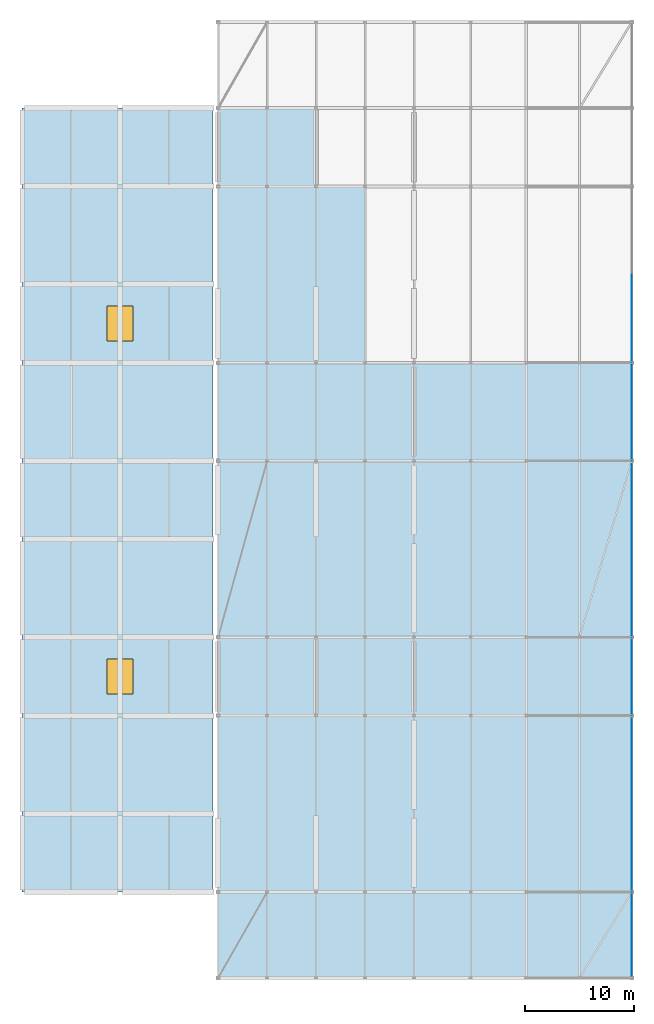
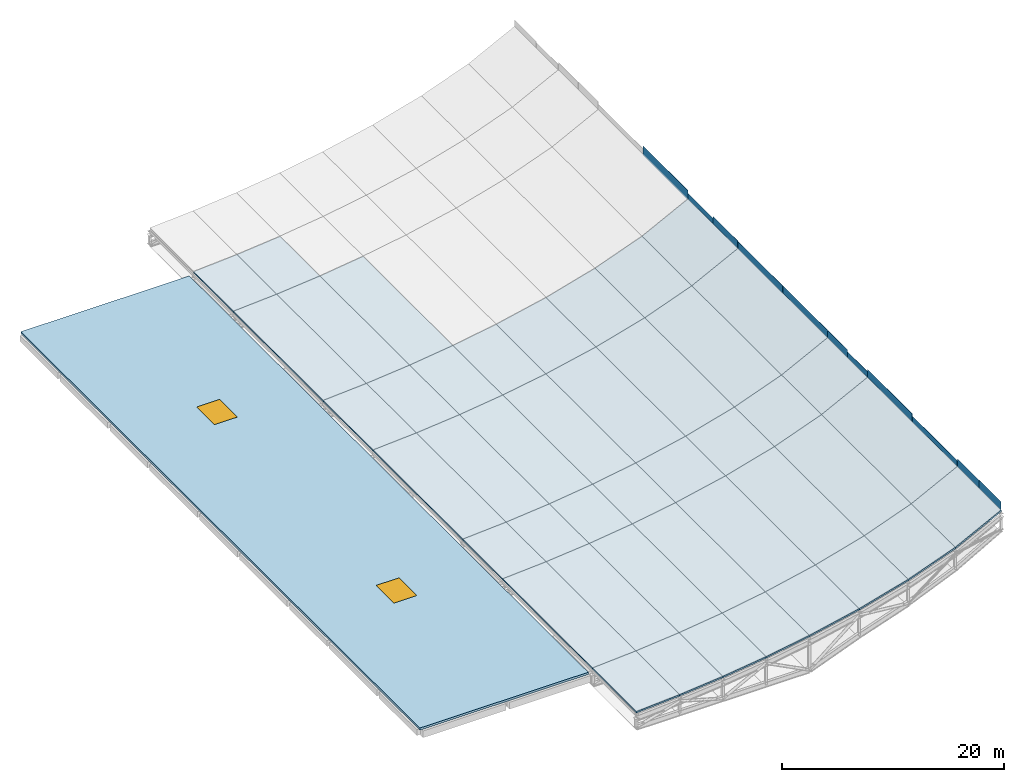
# One storey, part 19 of 24: 46 slabs, 11 plates, 2 windows, 2 openings.
"""IFC4 building model written with IfcOpenShell, lengths in metres."""

from ifc_helpers import new_model, si_unit, direction, frame, origin, origin_2d, place, context, subcontext, project, spatial, polyline, rectangle, outline, extrude, material, layer, layer_set, type_object, element, fill, save


model = new_model("IFC4")

# Units and contexts
model_context = context("Model", 3, precision=1e-05, world=origin(), true_north=direction((0.0, 1.0)))
body_context = subcontext(model_context, "Body", "Model", "MODEL_VIEW")
ifc_project = project(units=[si_unit("LENGTHUNIT", "METRE"), si_unit("AREAUNIT", "SQUARE_METRE"), si_unit("VOLUMEUNIT", "CUBIC_METRE"), si_unit("PLANEANGLEUNIT", "RADIAN"), si_unit("MASSUNIT", "GRAM", prefix="KILO"), si_unit("THERMODYNAMICTEMPERATUREUNIT", "KELVIN"), si_unit("POWERUNIT", "WATT")], contexts=[model_context])

# Site, building, storey
site_placement = place(None, origin())
site = spatial("IfcSite", under=ifc_project, at=site_placement, CompositionType="ELEMENT")
building_placement = place(site_placement, origin())
building = spatial("IfcBuilding", under=site, at=building_placement, Name="Sindhuravela Promenade Stadium", CompositionType="ELEMENT")
storey_placement = place(building_placement, frame((0.0, 0.0, 28.800048828125)))
storey = spatial("IfcBuildingStorey", under=building, at=storey_placement, Name="RF", CompositionType="ELEMENT", Elevation=28.800048828125)

# Slab, openings, windows
ifc_material_1 = material(Name="Concrete M40", Category="concrete")
ifc_layer_1 = layer(ifc_material_1, 0.239990234375)
ifc_layer_set_1 = layer_set([ifc_layer_1], Name="Concrete M40")
slab_type_1 = type_object("IfcSlabType", Name="SL-ROF-240", PredefinedType="ROOF", material=ifc_layer_set_1)
slab_1_placement = place(storey_placement, frame((0.0, 0.0, -0.239990234375)))
slab_1 = element("IfcSlab", 1, at=slab_1_placement, inside=storey, type_object=slab_type_1, Name="Main roof slab WEST RF", PredefinedType="ROOF", context=body_context, shape_type="SweptSolid", body=[
    extrude(outline(polyline([(0.0, 45.0), (0.0, 117.0), (17.550048828125, 117.0), (17.550048828125, 45.0), (0.0, 45.0)])), origin(), (0.0, 0.0, 1.0), 0.239990234375),
])
opening_1_placement = place(slab_1_placement, frame((9.0, 64.800048828125, -0.010009765625)))
opening_1 = element("IfcOpeningElement", 2, at=opening_1_placement, cuts=slab_1, Name="Opening SK04", PredefinedType="OPENING", context=body_context, shape_type="SweptSolid", body=[
    extrude(rectangle(XDim=2.39990234375, YDim=3.199951171875, at=origin_2d()), origin(), (0.0, 0.0, 1.0), 0.260009765625),
])
opening_2_placement = place(slab_1_placement, frame((9.0, 97.199951171875, -0.010009765625)))
opening_2 = element("IfcOpeningElement", 3, at=opening_2_placement, cuts=slab_1, Name="Opening SK04", PredefinedType="OPENING", context=body_context, shape_type="SweptSolid", body=[
    extrude(rectangle(XDim=2.39990234375, YDim=3.199951171875, at=origin_2d()), origin(), (0.0, 0.0, 1.0), 0.260009765625),
])
ifc_material_2 = material(Name="Tempered laminated low-E glass", Category="glass")
window_type = type_object("IfcWindowType", Name="WN-SKY-2400x3200", PartitioningType="SINGLE_PANEL", PredefinedType="SKYLIGHT", material=ifc_material_2)
window_1_placement = place(slab_1_placement, frame((9.0, 64.800048828125, 0.18994140625)))
window_1 = element("IfcWindow", 4, at=window_1_placement, inside=storey, type_object=window_type, Name="Concourse roof skylight SK04-01", OverallHeight=3.199951171875, OverallWidth=2.39990234375, PartitioningType="SINGLE_PANEL", PredefinedType="SKYLIGHT", context=body_context, shape_type="SweptSolid", body=[
    extrude(rectangle(XDim=2.39990234375, YDim=3.199951171875, at=origin_2d()), origin(), (0.0, 0.0, 1.0), 0.050048828125),
])
fill(opening_1, window_1)
window_2_placement = place(slab_1_placement, frame((9.0, 97.199951171875, 0.18994140625)))
window_2 = element("IfcWindow", 5, at=window_2_placement, inside=storey, type_object=window_type, Name="Concourse roof skylight SK04-02", OverallHeight=3.199951171875, OverallWidth=2.39990234375, PartitioningType="SINGLE_PANEL", PredefinedType="SKYLIGHT", context=body_context, shape_type="SweptSolid", body=[
    extrude(rectangle(XDim=2.39990234375, YDim=3.199951171875, at=origin_2d()), origin(), (0.0, 0.0, 1.0), 0.050048828125),
])
fill(opening_2, window_2)

# Slabs
ifc_layer_2 = layer(ifc_material_1, 0.169921875)
ifc_layer_set_2 = layer_set([ifc_layer_2], Name="Concrete M40")
slab_type_2 = type_object("IfcSlabType", Name="SL-WAV-170", PredefinedType="ROOF", material=ifc_layer_set_2)
slab_2_placement = place(storey_placement, frame((18.0, 37.10009765625, 0.304931640625), z_axis=(-0.06502054008701487, 0.0, 0.997883925798383), x_axis=(0.0, 1.0, 0.0)))
element("IfcSlab", 6, at=slab_2_placement, inside=storey, type_object=slab_type_2, Name="Stand canopy roof slab W bay 1.1", PredefinedType="ROOF", context=body_context, shape_type="SweptSolid", body=[
    extrude(outline(polyline([(0.0, 0.0), (0.0, -4.509542526601636), (7.89990234375, -4.509542526601636), (7.89990234375, 0.0), (0.0, 0.0)])), origin(), (0.0, 0.0, -1.0), 0.169921875),
])
slab_3_placement = place(storey_placement, frame((22.5, 37.10009765625, 0.59814453125), z_axis=(-0.09633800132330608, 0.0, 0.9953486773493149), x_axis=(0.0, 1.0, 0.0)))
element("IfcSlab", 7, at=slab_3_placement, inside=storey, type_object=slab_type_2, Name="Stand canopy roof slab W bay 1.2", PredefinedType="ROOF", context=body_context, shape_type="SweptSolid", body=[
    extrude(outline(polyline([(0.0, 0.0), (0.0, -4.521028763492029), (7.89990234375, -4.521028763492029), (7.89990234375, 0.0), (0.0, 0.0)])), origin(), (0.0, 0.0, -1.0), 0.169921875),
])
slab_4_placement = place(storey_placement, frame((27.0, 37.10009765625, 1.03369140625), z_axis=(-0.12985890910380446, 0.0, 0.9915324824363395), x_axis=(0.0, 1.0, 0.0)))
element("IfcSlab", 8, at=slab_4_placement, inside=storey, type_object=slab_type_2, Name="Stand canopy roof slab W bay 1.3", PredefinedType="ROOF", context=body_context, shape_type="SweptSolid", body=[
    extrude(outline(polyline([(0.0, 0.0), (0.0, -4.538429229209765), (7.89990234375, -4.538429229209765), (7.89990234375, 0.0), (0.0, 0.0)])), origin(), (0.0, 0.0, -1.0), 0.169921875),
])
slab_5_placement = place(storey_placement, frame((31.5, 37.10009765625, 1.623046875), z_axis=(-0.16674069209504494, 0.0, 0.9860007817439422), x_axis=(0.0, 1.0, 0.0)))
element("IfcSlab", 9, at=slab_5_placement, inside=storey, type_object=slab_type_2, Name="Stand canopy roof slab W bay 1.4", PredefinedType="ROOF", context=body_context, shape_type="SweptSolid", body=[
    extrude(outline(polyline([(0.0, 0.0), (0.0, -4.56389090487417), (7.89990234375, -4.56389090487417), (7.89990234375, 0.0), (0.0, 0.0)])), origin(), (0.0, 0.0, -1.0), 0.169921875),
])
slab_6_placement = place(storey_placement, frame((36.0, 37.10009765625, 2.384033203125), z_axis=(-0.21242012068609856, 0.0, 0.9771784342317955), x_axis=(0.0, 1.0, 0.0)))
element("IfcSlab", 10, at=slab_6_placement, inside=storey, type_object=slab_type_2, Name="Stand canopy roof slab W bay 1.5", PredefinedType="ROOF", context=body_context, shape_type="SweptSolid", body=[
    extrude(outline(polyline([(0.0, 0.0), (0.0, -5.321393708369055), (7.89990234375, -5.321393708369055), (7.89990234375, 0.0), (0.0, 0.0)])), origin(), (0.0, 0.0, -1.0), 0.169921875),
])
slab_7_placement = place(storey_placement, frame((41.199951171875, 37.10009765625, 3.514404296875), z_axis=(-0.2712445701548118, 0.0, 0.9625104587283877), x_axis=(0.0, 1.0, 0.0)))
element("IfcSlab", 11, at=slab_7_placement, inside=storey, type_object=slab_type_2, Name="Stand canopy roof slab W bay 1.6", PredefinedType="ROOF", context=body_context, shape_type="SweptSolid", body=[
    extrude(outline(polyline([(0.0, 0.0), (0.0, -5.298745182455419), (7.89990234375, -5.298745182455419), (7.89990234375, 0.0), (0.0, 0.0)])), origin(), (0.0, 0.0, -1.0), 0.169921875),
])
slab_8_placement = place(storey_placement, frame((46.300048828125, 37.10009765625, 4.95166015625), z_axis=(-0.34623168577076896, 0.0, 0.9381490392087665), x_axis=(0.0, 1.0, 0.0)))
element("IfcSlab", 12, at=slab_8_placement, inside=storey, type_object=slab_type_2, Name="Stand canopy roof slab W bay 1.7", PredefinedType="ROOF", context=body_context, shape_type="SweptSolid", body=[
    extrude(outline(polyline([(0.0, 0.0), (0.0, -5.222946609722663), (7.89990234375, -5.222946609722663), (7.89990234375, 0.0), (0.0, 0.0)])), origin(), (0.0, 0.0, -1.0), 0.169921875),
])
slab_9_placement = place(storey_placement, frame((51.199951171875, 37.10009765625, 6.760009765625), z_axis=(-0.4531343199003089, 0.0, 0.8914422517070215), x_axis=(0.0, 1.0, 0.0)))
element("IfcSlab", 13, at=slab_9_placement, inside=storey, type_object=slab_type_2, Name="Stand canopy roof slab W bay 1.8", PredefinedType="ROOF", context=body_context, shape_type="SweptSolid", body=[
    extrude(outline(polyline([(0.0, 0.0), (0.0, -5.384587525365097), (7.89990234375, -5.384587525365097), (7.89990234375, 0.0), (0.0, 0.0)])), origin(), (0.0, 0.0, -1.0), 0.169921875),
])
slab_10_placement = place(storey_placement, frame((18.0, 45.0, 0.304931640625), z_axis=(-0.06502054008701487, 0.0, 0.9978839257983829), x_axis=(0.0, 1.0, 0.0)))
element("IfcSlab", 14, at=slab_10_placement, inside=storey, type_object=slab_type_2, Name="Stand canopy roof slab W bay 2.1", PredefinedType="ROOF", context=body_context, shape_type="SweptSolid", body=[
    extrude(outline(polyline([(0.0, 0.0), (0.0, -4.509542526601636), (16.199951171875, -4.509542526601636), (16.199951171875, 0.0), (0.0, 0.0)])), origin(), (0.0, 0.0, -1.0), 0.169921875),
])
slab_11_placement = place(storey_placement, frame((22.5, 45.0, 0.59814453125), z_axis=(-0.0963380013233061, 0.0, 0.9953486773493151), x_axis=(0.0, 1.0, 0.0)))
element("IfcSlab", 15, at=slab_11_placement, inside=storey, type_object=slab_type_2, Name="Stand canopy roof slab W bay 2.2", PredefinedType="ROOF", context=body_context, shape_type="SweptSolid", body=[
    extrude(outline(polyline([(0.0, 0.0), (0.0, -4.52102876349203), (16.199951171875, -4.52102876349203), (16.199951171875, 0.0), (0.0, 0.0)])), origin(), (0.0, 0.0, -1.0), 0.169921875),
])
slab_12_placement = place(storey_placement, frame((27.0, 45.0, 1.03369140625), z_axis=(-0.12985890910380446, 0.0, 0.9915324824363395), x_axis=(0.0, 1.0, 0.0)))
element("IfcSlab", 16, at=slab_12_placement, inside=storey, type_object=slab_type_2, Name="Stand canopy roof slab W bay 2.3", PredefinedType="ROOF", context=body_context, shape_type="SweptSolid", body=[
    extrude(outline(polyline([(0.0, 0.0), (0.0, -4.538429229209765), (16.199951171875, -4.538429229209765), (16.199951171875, 0.0), (0.0, 0.0)])), origin(), (0.0, 0.0, -1.0), 0.169921875),
])
slab_13_placement = place(storey_placement, frame((31.5, 45.0, 1.623046875), z_axis=(-0.16674069209504494, 0.0, 0.9860007817439425), x_axis=(0.0, 1.0, 0.0)))
element("IfcSlab", 17, at=slab_13_placement, inside=storey, type_object=slab_type_2, Name="Stand canopy roof slab W bay 2.4", PredefinedType="ROOF", context=body_context, shape_type="SweptSolid", body=[
    extrude(outline(polyline([(0.0, 0.0), (0.0, -4.563890904874171), (16.199951171875, -4.563890904874171), (16.199951171875, 0.0), (0.0, 0.0)])), origin(), (0.0, 0.0, -1.0), 0.169921875),
])
slab_14_placement = place(storey_placement, frame((36.0, 45.0, 2.384033203125), z_axis=(-0.21242012068609856, 0.0, 0.9771784342317954), x_axis=(0.0, 1.0, 0.0)))
element("IfcSlab", 18, at=slab_14_placement, inside=storey, type_object=slab_type_2, Name="Stand canopy roof slab W bay 2.5", PredefinedType="ROOF", context=body_context, shape_type="SweptSolid", body=[
    extrude(outline(polyline([(0.0, 0.0), (0.0, -5.321393708369055), (16.199951171875, -5.321393708369055), (16.199951171875, 0.0), (0.0, 0.0)])), origin(), (0.0, 0.0, -1.0), 0.169921875),
])
slab_15_placement = place(storey_placement, frame((41.199951171875, 45.0, 3.514404296875), z_axis=(-0.2712445701548118, 0.0, 0.9625104587283878), x_axis=(0.0, 1.0, 0.0)))
element("IfcSlab", 19, at=slab_15_placement, inside=storey, type_object=slab_type_2, Name="Stand canopy roof slab W bay 2.6", PredefinedType="ROOF", context=body_context, shape_type="SweptSolid", body=[
    extrude(outline(polyline([(0.0, 0.0), (0.0, -5.29874518245542), (16.199951171875, -5.29874518245542), (16.199951171875, 0.0), (0.0, 0.0)])), origin(), (0.0, 0.0, -1.0), 0.169921875),
])
slab_16_placement = place(storey_placement, frame((46.300048828125, 45.0, 4.95166015625), z_axis=(-0.34623168577076896, 0.0, 0.9381490392087665), x_axis=(0.0, 1.0, 0.0)))
element("IfcSlab", 20, at=slab_16_placement, inside=storey, type_object=slab_type_2, Name="Stand canopy roof slab W bay 2.7", PredefinedType="ROOF", context=body_context, shape_type="SweptSolid", body=[
    extrude(outline(polyline([(0.0, 0.0), (0.0, -5.222946609722663), (16.199951171875, -5.222946609722663), (16.199951171875, 0.0), (0.0, 0.0)])), origin(), (0.0, 0.0, -1.0), 0.169921875),
])
slab_17_placement = place(storey_placement, frame((51.199951171875, 45.0, 6.760009765625), z_axis=(-0.45313431990030884, 0.0, 0.8914422517070214), x_axis=(0.0, 1.0, 0.0)))
element("IfcSlab", 21, at=slab_17_placement, inside=storey, type_object=slab_type_2, Name="Stand canopy roof slab W bay 2.8", PredefinedType="ROOF", context=body_context, shape_type="SweptSolid", body=[
    extrude(outline(polyline([(0.0, 0.0), (0.0, -5.384587525365096), (16.199951171875, -5.384587525365096), (16.199951171875, 0.0), (0.0, 0.0)])), origin(), (0.0, 0.0, -1.0), 0.169921875),
])
slab_18_placement = place(storey_placement, frame((18.0, 61.199951171875, 0.304931640625), z_axis=(-0.06502054008701487, 0.0, 0.9978839257983831), x_axis=(0.0, 1.0, 0.0)))
element("IfcSlab", 22, at=slab_18_placement, inside=storey, type_object=slab_type_2, Name="Stand canopy roof slab W bay 3.1", PredefinedType="ROOF", context=body_context, shape_type="SweptSolid", body=[
    extrude(outline(polyline([(0.0, 0.0), (0.0, -4.509542526601637), (7.199951171875, -4.509542526601637), (7.199951171875, 0.0), (0.0, 0.0)])), origin(), (0.0, 0.0, -1.0), 0.169921875),
])
slab_19_placement = place(storey_placement, frame((22.5, 61.199951171875, 0.59814453125), z_axis=(-0.09633800132330608, 0.0, 0.9953486773493149), x_axis=(0.0, 1.0, 0.0)))
element("IfcSlab", 23, at=slab_19_placement, inside=storey, type_object=slab_type_2, Name="Stand canopy roof slab W bay 3.2", PredefinedType="ROOF", context=body_context, shape_type="SweptSolid", body=[
    extrude(outline(polyline([(0.0, 0.0), (0.0, -4.521028763492029), (7.199951171875, -4.521028763492029), (7.199951171875, 0.0), (0.0, 0.0)])), origin(), (0.0, 0.0, -1.0), 0.169921875),
])
slab_20_placement = place(storey_placement, frame((27.0, 61.199951171875, 1.03369140625), z_axis=(-0.12985890910380446, 0.0, 0.9915324824363395), x_axis=(0.0, 1.0, 0.0)))
element("IfcSlab", 24, at=slab_20_placement, inside=storey, type_object=slab_type_2, Name="Stand canopy roof slab W bay 3.3", PredefinedType="ROOF", context=body_context, shape_type="SweptSolid", body=[
    extrude(outline(polyline([(0.0, 0.0), (0.0, -4.538429229209765), (7.199951171875, -4.538429229209765), (7.199951171875, 0.0), (0.0, 0.0)])), origin(), (0.0, 0.0, -1.0), 0.169921875),
])
slab_21_placement = place(storey_placement, frame((31.5, 61.199951171875, 1.623046875), z_axis=(-0.16674069209504494, 0.0, 0.9860007817439423), x_axis=(0.0, 1.0, 0.0)))
element("IfcSlab", 25, at=slab_21_placement, inside=storey, type_object=slab_type_2, Name="Stand canopy roof slab W bay 3.4", PredefinedType="ROOF", context=body_context, shape_type="SweptSolid", body=[
    extrude(outline(polyline([(0.0, 0.0), (0.0, -4.56389090487417), (7.199951171875, -4.56389090487417), (7.199951171875, 0.0), (0.0, 0.0)])), origin(), (0.0, 0.0, -1.0), 0.169921875),
])
slab_22_placement = place(storey_placement, frame((36.0, 61.199951171875, 2.384033203125), z_axis=(-0.21242012068609853, 0.0, 0.9771784342317954), x_axis=(0.0, 1.0, 0.0)))
element("IfcSlab", 26, at=slab_22_placement, inside=storey, type_object=slab_type_2, Name="Stand canopy roof slab W bay 3.5", PredefinedType="ROOF", context=body_context, shape_type="SweptSolid", body=[
    extrude(outline(polyline([(0.0, 0.0), (0.0, -5.321393708369055), (7.199951171875, -5.321393708369055), (7.199951171875, 0.0), (0.0, 0.0)])), origin(), (0.0, 0.0, -1.0), 0.169921875),
])
slab_23_placement = place(storey_placement, frame((41.199951171875, 61.199951171875, 3.514404296875), z_axis=(-0.2712445701548118, 0.0, 0.9625104587283877), x_axis=(0.0, 1.0, 0.0)))
element("IfcSlab", 27, at=slab_23_placement, inside=storey, type_object=slab_type_2, Name="Stand canopy roof slab W bay 3.6", PredefinedType="ROOF", context=body_context, shape_type="SweptSolid", body=[
    extrude(outline(polyline([(0.0, 0.0), (0.0, -5.298745182455419), (7.199951171875, -5.298745182455419), (7.199951171875, 0.0), (0.0, 0.0)])), origin(), (0.0, 0.0, -1.0), 0.169921875),
])
slab_24_placement = place(storey_placement, frame((46.300048828125, 61.199951171875, 4.95166015625), z_axis=(-0.34623168577076896, 0.0, 0.9381490392087665), x_axis=(0.0, 1.0, 0.0)))
element("IfcSlab", 28, at=slab_24_placement, inside=storey, type_object=slab_type_2, Name="Stand canopy roof slab W bay 3.7", PredefinedType="ROOF", context=body_context, shape_type="SweptSolid", body=[
    extrude(outline(polyline([(0.0, 0.0), (0.0, -5.222946609722663), (7.199951171875, -5.222946609722663), (7.199951171875, 0.0), (0.0, 0.0)])), origin(), (0.0, 0.0, -1.0), 0.169921875),
])
slab_25_placement = place(storey_placement, frame((51.199951171875, 61.199951171875, 6.760009765625), z_axis=(-0.4531343199003089, 0.0, 0.8914422517070215), x_axis=(0.0, 1.0, 0.0)))
element("IfcSlab", 29, at=slab_25_placement, inside=storey, type_object=slab_type_2, Name="Stand canopy roof slab W bay 3.8", PredefinedType="ROOF", context=body_context, shape_type="SweptSolid", body=[
    extrude(outline(polyline([(0.0, 0.0), (0.0, -5.384587525365097), (7.199951171875, -5.384587525365097), (7.199951171875, 0.0), (0.0, 0.0)])), origin(), (0.0, 0.0, -1.0), 0.169921875),
])
slab_26_placement = place(storey_placement, frame((18.0, 68.39990234375, 0.304931640625), z_axis=(-0.06502054008701487, 0.0, 0.9978839257983831), x_axis=(0.0, 1.0, 0.0)))
element("IfcSlab", 30, at=slab_26_placement, inside=storey, type_object=slab_type_2, Name="Stand canopy roof slab W bay 4.1", PredefinedType="ROOF", context=body_context, shape_type="SweptSolid", body=[
    extrude(outline(polyline([(0.0, 0.0), (0.0, -4.509542526601637), (16.2001953125, -4.509542526601637), (16.2001953125, 0.0), (0.0, 0.0)])), origin(), (0.0, 0.0, -1.0), 0.169921875),
])
slab_27_placement = place(storey_placement, frame((22.5, 68.39990234375, 0.59814453125), z_axis=(-0.0963380013233061, 0.0, 0.9953486773493151), x_axis=(0.0, 1.0, 0.0)))
element("IfcSlab", 31, at=slab_27_placement, inside=storey, type_object=slab_type_2, Name="Stand canopy roof slab W bay 4.2", PredefinedType="ROOF", context=body_context, shape_type="SweptSolid", body=[
    extrude(outline(polyline([(0.0, 0.0), (0.0, -4.52102876349203), (16.2001953125, -4.52102876349203), (16.2001953125, 0.0), (0.0, 0.0)])), origin(), (0.0, 0.0, -1.0), 0.169921875),
])
slab_28_placement = place(storey_placement, frame((27.0, 68.39990234375, 1.03369140625), z_axis=(-0.12985890910380443, 0.0, 0.9915324824363395), x_axis=(0.0, 1.0, 0.0)))
element("IfcSlab", 32, at=slab_28_placement, inside=storey, type_object=slab_type_2, Name="Stand canopy roof slab W bay 4.3", PredefinedType="ROOF", context=body_context, shape_type="SweptSolid", body=[
    extrude(outline(polyline([(0.0, 0.0), (0.0, -4.538429229209765), (16.2001953125, -4.538429229209765), (16.2001953125, 0.0), (0.0, 0.0)])), origin(), (0.0, 0.0, -1.0), 0.169921875),
])
slab_29_placement = place(storey_placement, frame((31.5, 68.39990234375, 1.623046875), z_axis=(-0.16674069209504494, 0.0, 0.9860007817439423), x_axis=(0.0, 1.0, 0.0)))
element("IfcSlab", 33, at=slab_29_placement, inside=storey, type_object=slab_type_2, Name="Stand canopy roof slab W bay 4.4", PredefinedType="ROOF", context=body_context, shape_type="SweptSolid", body=[
    extrude(outline(polyline([(0.0, 0.0), (0.0, -4.56389090487417), (16.2001953125, -4.56389090487417), (16.2001953125, 0.0), (0.0, 0.0)])), origin(), (0.0, 0.0, -1.0), 0.169921875),
])
slab_30_placement = place(storey_placement, frame((36.0, 68.39990234375, 2.384033203125), z_axis=(-0.21242012068609856, 0.0, 0.9771784342317955), x_axis=(0.0, 1.0, 0.0)))
element("IfcSlab", 34, at=slab_30_placement, inside=storey, type_object=slab_type_2, Name="Stand canopy roof slab W bay 4.5", PredefinedType="ROOF", context=body_context, shape_type="SweptSolid", body=[
    extrude(outline(polyline([(0.0, 0.0), (0.0, -5.321393708369055), (16.2001953125, -5.321393708369055), (16.2001953125, 0.0), (0.0, 0.0)])), origin(), (0.0, 0.0, -1.0), 0.169921875),
])
slab_31_placement = place(storey_placement, frame((41.199951171875, 68.39990234375, 3.514404296875), z_axis=(-0.2712445701548118, 0.0, 0.9625104587283878), x_axis=(0.0, 1.0, 0.0)))
element("IfcSlab", 35, at=slab_31_placement, inside=storey, type_object=slab_type_2, Name="Stand canopy roof slab W bay 4.6", PredefinedType="ROOF", context=body_context, shape_type="SweptSolid", body=[
    extrude(outline(polyline([(0.0, 0.0), (0.0, -5.29874518245542), (16.2001953125, -5.29874518245542), (16.2001953125, 0.0), (0.0, 0.0)])), origin(), (0.0, 0.0, -1.0), 0.169921875),
])
slab_32_placement = place(storey_placement, frame((46.300048828125, 68.39990234375, 4.95166015625), z_axis=(-0.34623168577076896, 0.0, 0.9381490392087665), x_axis=(0.0, 1.0, 0.0)))
element("IfcSlab", 36, at=slab_32_placement, inside=storey, type_object=slab_type_2, Name="Stand canopy roof slab W bay 4.7", PredefinedType="ROOF", context=body_context, shape_type="SweptSolid", body=[
    extrude(outline(polyline([(0.0, 0.0), (0.0, -5.222946609722663), (16.2001953125, -5.222946609722663), (16.2001953125, 0.0), (0.0, 0.0)])), origin(), (0.0, 0.0, -1.0), 0.169921875),
])
slab_33_placement = place(storey_placement, frame((51.199951171875, 68.39990234375, 6.760009765625), z_axis=(-0.4531343199003089, 0.0, 0.8914422517070215), x_axis=(0.0, 1.0, 0.0)))
element("IfcSlab", 37, at=slab_33_placement, inside=storey, type_object=slab_type_2, Name="Stand canopy roof slab W bay 4.8", PredefinedType="ROOF", context=body_context, shape_type="SweptSolid", body=[
    extrude(outline(polyline([(0.0, 0.0), (0.0, -5.384587525365097), (16.2001953125, -5.384587525365097), (16.2001953125, 0.0), (0.0, 0.0)])), origin(), (0.0, 0.0, -1.0), 0.169921875),
])
slab_34_placement = place(storey_placement, frame((18.0, 84.60009765625, 0.304931640625), z_axis=(-0.06502054008701487, 0.0, 0.997883925798383), x_axis=(0.0, 1.0, 0.0)))
element("IfcSlab", 38, at=slab_34_placement, inside=storey, type_object=slab_type_2, Name="Stand canopy roof slab W bay 5.1", PredefinedType="ROOF", context=body_context, shape_type="SweptSolid", body=[
    extrude(outline(polyline([(0.0, 0.0), (0.0, -4.509542526601636), (9.0, -4.509542526601636), (9.0, 0.0), (0.0, 0.0)])), origin(), (0.0, 0.0, -1.0), 0.169921875),
])
slab_35_placement = place(storey_placement, frame((22.5, 84.60009765625, 0.59814453125), z_axis=(-0.09633800132330608, 0.0, 0.9953486773493149), x_axis=(0.0, 1.0, 0.0)))
element("IfcSlab", 39, at=slab_35_placement, inside=storey, type_object=slab_type_2, Name="Stand canopy roof slab W bay 5.2", PredefinedType="ROOF", context=body_context, shape_type="SweptSolid", body=[
    extrude(outline(polyline([(0.0, 0.0), (0.0, -4.521028763492029), (9.0, -4.521028763492029), (9.0, 0.0), (0.0, 0.0)])), origin(), (0.0, 0.0, -1.0), 0.169921875),
])
slab_36_placement = place(storey_placement, frame((27.0, 84.60009765625, 1.03369140625), z_axis=(-0.12985890910380446, 0.0, 0.9915324824363395), x_axis=(0.0, 1.0, 0.0)))
element("IfcSlab", 40, at=slab_36_placement, inside=storey, type_object=slab_type_2, Name="Stand canopy roof slab W bay 5.3", PredefinedType="ROOF", context=body_context, shape_type="SweptSolid", body=[
    extrude(outline(polyline([(0.0, 0.0), (0.0, -4.538429229209765), (9.0, -4.538429229209765), (9.0, 0.0), (0.0, 0.0)])), origin(), (0.0, 0.0, -1.0), 0.169921875),
])
slab_37_placement = place(storey_placement, frame((31.5, 84.60009765625, 1.623046875), z_axis=(-0.16674069209504494, 0.0, 0.9860007817439423), x_axis=(0.0, 1.0, 0.0)))
element("IfcSlab", 41, at=slab_37_placement, inside=storey, type_object=slab_type_2, Name="Stand canopy roof slab W bay 5.4", PredefinedType="ROOF", context=body_context, shape_type="SweptSolid", body=[
    extrude(outline(polyline([(0.0, 0.0), (0.0, -4.56389090487417), (9.0, -4.56389090487417), (9.0, 0.0), (0.0, 0.0)])), origin(), (0.0, 0.0, -1.0), 0.169921875),
])
slab_38_placement = place(storey_placement, frame((36.0, 84.60009765625, 2.384033203125), z_axis=(-0.21242012068609856, 0.0, 0.9771784342317955), x_axis=(0.0, 1.0, 0.0)))
element("IfcSlab", 42, at=slab_38_placement, inside=storey, type_object=slab_type_2, Name="Stand canopy roof slab W bay 5.5", PredefinedType="ROOF", context=body_context, shape_type="SweptSolid", body=[
    extrude(outline(polyline([(0.0, 0.0), (0.0, -5.321393708369055), (9.0, -5.321393708369055), (9.0, 0.0), (0.0, 0.0)])), origin(), (0.0, 0.0, -1.0), 0.169921875),
])
slab_39_placement = place(storey_placement, frame((41.199951171875, 84.60009765625, 3.514404296875), z_axis=(-0.2712445701548118, 0.0, 0.9625104587283877), x_axis=(0.0, 1.0, 0.0)))
element("IfcSlab", 43, at=slab_39_placement, inside=storey, type_object=slab_type_2, Name="Stand canopy roof slab W bay 5.6", PredefinedType="ROOF", context=body_context, shape_type="SweptSolid", body=[
    extrude(outline(polyline([(0.0, 0.0), (0.0, -5.298745182455419), (9.0, -5.298745182455419), (9.0, 0.0), (0.0, 0.0)])), origin(), (0.0, 0.0, -1.0), 0.169921875),
])
slab_40_placement = place(storey_placement, frame((46.300048828125, 84.60009765625, 4.95166015625), z_axis=(-0.34623168577076896, 0.0, 0.9381490392087665), x_axis=(0.0, 1.0, 0.0)))
element("IfcSlab", 44, at=slab_40_placement, inside=storey, type_object=slab_type_2, Name="Stand canopy roof slab W bay 5.7", PredefinedType="ROOF", context=body_context, shape_type="SweptSolid", body=[
    extrude(outline(polyline([(0.0, 0.0), (0.0, -5.222946609722663), (9.0, -5.222946609722663), (9.0, 0.0), (0.0, 0.0)])), origin(), (0.0, 0.0, -1.0), 0.169921875),
])
slab_41_placement = place(storey_placement, frame((51.199951171875, 84.60009765625, 6.760009765625), z_axis=(-0.45313431990030884, 0.0, 0.8914422517070214), x_axis=(0.0, 1.0, 0.0)))
element("IfcSlab", 45, at=slab_41_placement, inside=storey, type_object=slab_type_2, Name="Stand canopy roof slab W bay 5.8", PredefinedType="ROOF", context=body_context, shape_type="SweptSolid", body=[
    extrude(outline(polyline([(0.0, 0.0), (0.0, -5.384587525365096), (9.0, -5.384587525365096), (9.0, 0.0), (0.0, 0.0)])), origin(), (0.0, 0.0, -1.0), 0.169921875),
])
slab_42_placement = place(storey_placement, frame((18.0, 93.60009765625, 0.304931640625), z_axis=(-0.06502054008701487, 0.0, 0.9978839257983829), x_axis=(0.0, 1.0, 0.0)))
element("IfcSlab", 46, at=slab_42_placement, inside=storey, type_object=slab_type_2, Name="Stand canopy roof slab W bay 6.1", PredefinedType="ROOF", context=body_context, shape_type="SweptSolid", body=[
    extrude(outline(polyline([(0.0, 0.0), (0.0, -4.509542526601636), (16.199951171875, -4.509542526601636), (16.199951171875, 0.0), (0.0, 0.0)])), origin(), (0.0, 0.0, -1.0), 0.169921875),
])
slab_43_placement = place(storey_placement, frame((22.5, 93.60009765625, 0.59814453125), z_axis=(-0.0963380013233061, 0.0, 0.9953486773493151), x_axis=(0.0, 1.0, 0.0)))
element("IfcSlab", 47, at=slab_43_placement, inside=storey, type_object=slab_type_2, Name="Stand canopy roof slab W bay 6.2", PredefinedType="ROOF", context=body_context, shape_type="SweptSolid", body=[
    extrude(outline(polyline([(0.0, 0.0), (0.0, -4.52102876349203), (16.199951171875, -4.52102876349203), (16.199951171875, 0.0), (0.0, 0.0)])), origin(), (0.0, 0.0, -1.0), 0.169921875),
])
slab_44_placement = place(storey_placement, frame((27.0, 93.60009765625, 1.03369140625), z_axis=(-0.12985890910380446, 0.0, 0.9915324824363395), x_axis=(0.0, 1.0, 0.0)))
element("IfcSlab", 48, at=slab_44_placement, inside=storey, type_object=slab_type_2, Name="Stand canopy roof slab W bay 6.3", PredefinedType="ROOF", context=body_context, shape_type="SweptSolid", body=[
    extrude(outline(polyline([(0.0, 0.0), (0.0, -4.538429229209765), (16.199951171875, -4.538429229209765), (16.199951171875, 0.0), (0.0, 0.0)])), origin(), (0.0, 0.0, -1.0), 0.169921875),
])
slab_45_placement = place(storey_placement, frame((18.0, 109.800048828125, 0.304931640625), z_axis=(-0.06502054008701487, 0.0, 0.9978839257983831), x_axis=(0.0, 1.0, 0.0)))
element("IfcSlab", 49, at=slab_45_placement, inside=storey, type_object=slab_type_2, Name="Stand canopy roof slab W bay 7.1", PredefinedType="ROOF", context=body_context, shape_type="SweptSolid", body=[
    extrude(outline(polyline([(0.0, 0.0), (0.0, -4.509542526601637), (7.199951171875, -4.509542526601637), (7.199951171875, 0.0), (0.0, 0.0)])), origin(), (0.0, 0.0, -1.0), 0.169921875),
])
slab_46_placement = place(storey_placement, frame((22.5, 109.800048828125, 0.59814453125), z_axis=(-0.09633800132330608, 0.0, 0.9953486773493149), x_axis=(0.0, 1.0, 0.0)))
element("IfcSlab", 50, at=slab_46_placement, inside=storey, type_object=slab_type_2, Name="Stand canopy roof slab W bay 7.2", PredefinedType="ROOF", context=body_context, shape_type="SweptSolid", body=[
    extrude(outline(polyline([(0.0, 0.0), (0.0, -4.521028763492029), (7.199951171875, -4.521028763492029), (7.199951171875, 0.0), (0.0, 0.0)])), origin(), (0.0, 0.0, -1.0), 0.169921875),
])

# Plates
ifc_material_3 = material(Name="Steel E350 (IS 2062 E350BR)", Category="steel")
ifc_layer_3 = layer(ifc_material_3, 0.013916015625)
ifc_layer_set_3 = layer_set([ifc_layer_3], Name="Steel E350 (IS 2062 E350BR)")
plate_type_1 = type_object("IfcPlateType", Name="ST-PL-FAS14", PredefinedType="SHEET", material=ifc_layer_set_3)
plate_1_placement = place(storey_placement, frame((56.0, 43.02490234375, 9.080078125), z_axis=(0.0, 0.0, 1.0), x_axis=(0.0, 1.0, 0.0)))
element("IfcPlate", 51, at=plate_1_placement, inside=storey, type_object=plate_type_1, Name="Breaking-wave roof crest fascia plate W 1.2", PredefinedType="SHEET", context=body_context, shape_type="SweptSolid", body=[
    extrude(rectangle(XDim=3.909912109375, YDim=0.013916015625, at=origin_2d()), origin(), (0.0, 0.0, 1.0), 0.98388671875),
])
plate_2_placement = place(storey_placement, frame((56.0, 49.050048828125, 9.080078125), z_axis=(0.0, 0.0, 1.0), x_axis=(0.0, 1.0, 0.0)))
element("IfcPlate", 52, at=plate_2_placement, inside=storey, type_object=plate_type_1, Name="Breaking-wave roof crest fascia plate W 2.1", PredefinedType="SHEET", context=body_context, shape_type="SweptSolid", body=[
    extrude(rectangle(XDim=8.06005859375, YDim=0.013916015625, at=origin_2d()), origin(), (0.0, 0.0, 1.0), 0.760009765625),
])
plate_3_placement = place(storey_placement, frame((56.0, 66.60009765625, 9.080078125), z_axis=(0.0, 0.0, 1.0), x_axis=(0.0, 1.0, 0.0)))
element("IfcPlate", 53, at=plate_3_placement, inside=storey, type_object=plate_type_1, Name="Breaking-wave roof crest fascia plate W 3.2", PredefinedType="SHEET", context=body_context, shape_type="SweptSolid", body=[
    extrude(rectangle(XDim=3.56005859375, YDim=0.013916015625, at=origin_2d()), origin(), (0.0, 0.0, 1.0), 0.947998046875),
])
plate_4_placement = place(storey_placement, frame((56.0, 72.449951171875, 9.080078125), z_axis=(0.0, 0.0, 1.0), x_axis=(0.0, 1.0, 0.0)))
element("IfcPlate", 54, at=plate_4_placement, inside=storey, type_object=plate_type_1, Name="Breaking-wave roof crest fascia plate W 4.1", PredefinedType="SHEET", context=body_context, shape_type="SweptSolid", body=[
    extrude(rectangle(XDim=8.06005859375, YDim=0.013916015625, at=origin_2d()), origin(), (0.0, 0.0, 1.0), 0.945068359375),
])
plate_5_placement = place(storey_placement, frame((56.0, 91.35009765625, 9.080078125), z_axis=(0.0, 0.0, 1.0), x_axis=(0.0, 1.0, 0.0)))
element("IfcPlate", 55, at=plate_5_placement, inside=storey, type_object=plate_type_1, Name="Breaking-wave roof crest fascia plate W 5.2", PredefinedType="SHEET", context=body_context, shape_type="SweptSolid", body=[
    extrude(rectangle(XDim=4.4599609375, YDim=0.013916015625, at=origin_2d()), origin(), (0.0, 0.0, 1.0), 0.740966796875),
])
plate_6_placement = place(storey_placement, frame((56.0, 97.64990234375, 9.080078125), z_axis=(0.0, 0.0, 1.0), x_axis=(0.0, 1.0, 0.0)))
element("IfcPlate", 56, at=plate_6_placement, inside=storey, type_object=plate_type_1, Name="Breaking-wave roof crest fascia plate W 6.1", PredefinedType="SHEET", context=body_context, shape_type="SweptSolid", body=[
    extrude(rectangle(XDim=8.06005859375, YDim=0.013916015625, at=origin_2d()), origin(), (0.0, 0.0, 1.0), 1.053955078125),
])
ifc_layer_4 = layer(ifc_material_3, 0.02392578125)
ifc_layer_set_4 = layer_set([ifc_layer_4], Name="Steel E350 (IS 2062 E350BR)")
plate_type_2 = type_object("IfcPlateType", Name="ST-PL-FAS24", PredefinedType="SHEET", material=ifc_layer_set_4)
plate_7_placement = place(storey_placement, frame((56.0, 39.074951171875, 9.079833984375), z_axis=(0.0, 0.0, 1.0), x_axis=(0.0, 1.0, 0.0)))
element("IfcPlate", 57, at=plate_7_placement, inside=storey, type_object=plate_type_2, Name="Breaking-wave roof crest fascia plate W 1.1", PredefinedType="SHEET", context=body_context, shape_type="SweptSolid", body=[
    extrude(rectangle(XDim=3.909912109375, YDim=0.02392578125, at=origin_2d()), origin(), (0.0, 0.0, 1.0), 1.02099609375),
])
plate_8_placement = place(storey_placement, frame((56.0, 57.14990234375, 9.079833984375), z_axis=(0.0, 0.0, 1.0), x_axis=(0.0, 1.0, 0.0)))
element("IfcPlate", 58, at=plate_8_placement, inside=storey, type_object=plate_type_2, Name="Breaking-wave roof crest fascia plate W 2.2", PredefinedType="SHEET", context=body_context, shape_type="SweptSolid", body=[
    extrude(rectangle(XDim=8.06005859375, YDim=0.02392578125, at=origin_2d()), origin(), (0.0, 0.0, 1.0), 1.0),
])
plate_9_placement = place(storey_placement, frame((56.0, 63.0, 9.079833984375), z_axis=(0.0, 0.0, 1.0), x_axis=(0.0, 1.0, 0.0)))
element("IfcPlate", 59, at=plate_9_placement, inside=storey, type_object=plate_type_2, Name="Breaking-wave roof crest fascia plate W 3.1", PredefinedType="SHEET", context=body_context, shape_type="SweptSolid", body=[
    extrude(rectangle(XDim=3.56005859375, YDim=0.02392578125, at=origin_2d()), origin(), (0.0, 0.0, 1.0), 0.7470703125),
])
plate_10_placement = place(storey_placement, frame((56.0, 80.550048828125, 9.079833984375), z_axis=(0.0, 0.0, 1.0), x_axis=(0.0, 1.0, 0.0)))
element("IfcPlate", 60, at=plate_10_placement, inside=storey, type_object=plate_type_2, Name="Breaking-wave roof crest fascia plate W 4.2", PredefinedType="SHEET", context=body_context, shape_type="SweptSolid", body=[
    extrude(rectangle(XDim=8.06005859375, YDim=0.02392578125, at=origin_2d()), origin(), (0.0, 0.0, 1.0), 0.9169921875),
])
plate_11_placement = place(storey_placement, frame((56.0, 86.85009765625, 9.080078125), z_axis=(0.0, 0.0, 1.0), x_axis=(0.0, 1.0, 0.0)))
element("IfcPlate", 61, at=plate_11_placement, inside=storey, type_object=plate_type_2, Name="Breaking-wave roof crest fascia plate W 5.1", PredefinedType="SHEET", context=body_context, shape_type="SweptSolid", body=[
    extrude(rectangle(XDim=4.4599609375, YDim=0.02392578125, at=origin_2d()), origin(), (0.0, 0.0, 1.0), 0.945068359375),
])

save(model, "model.ifc")
